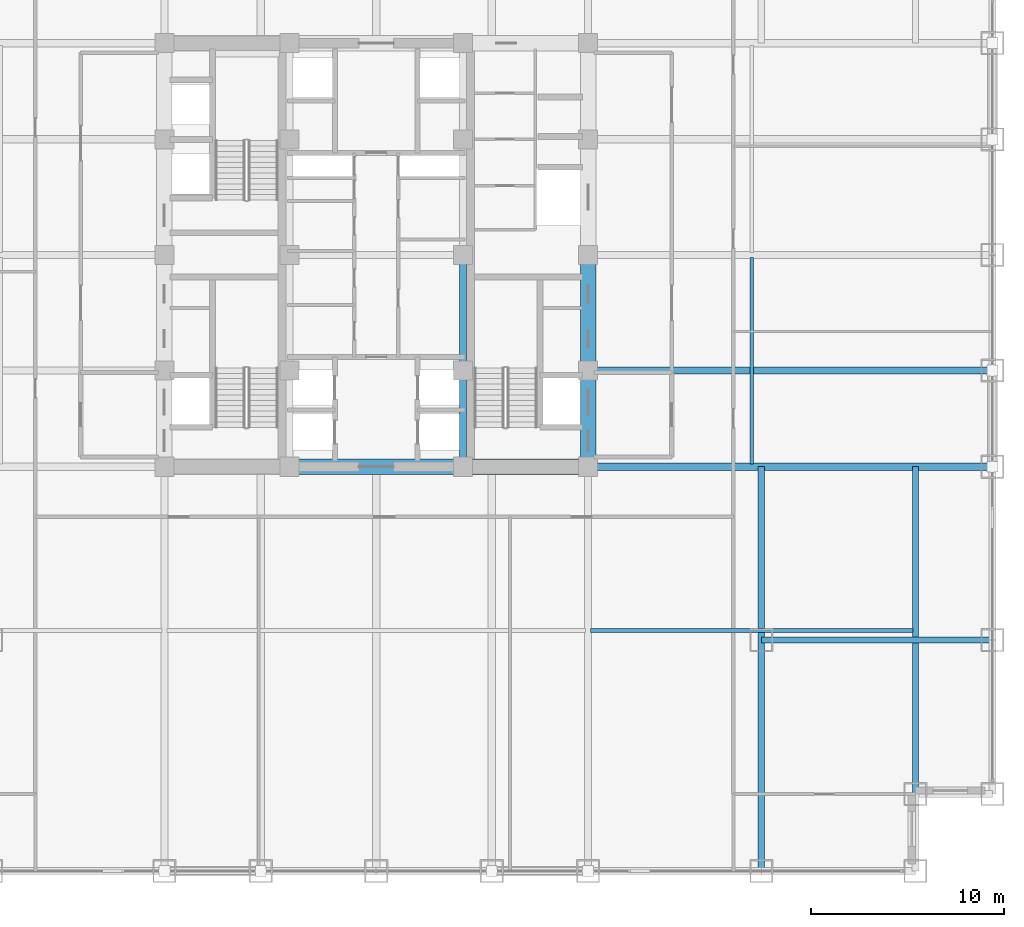
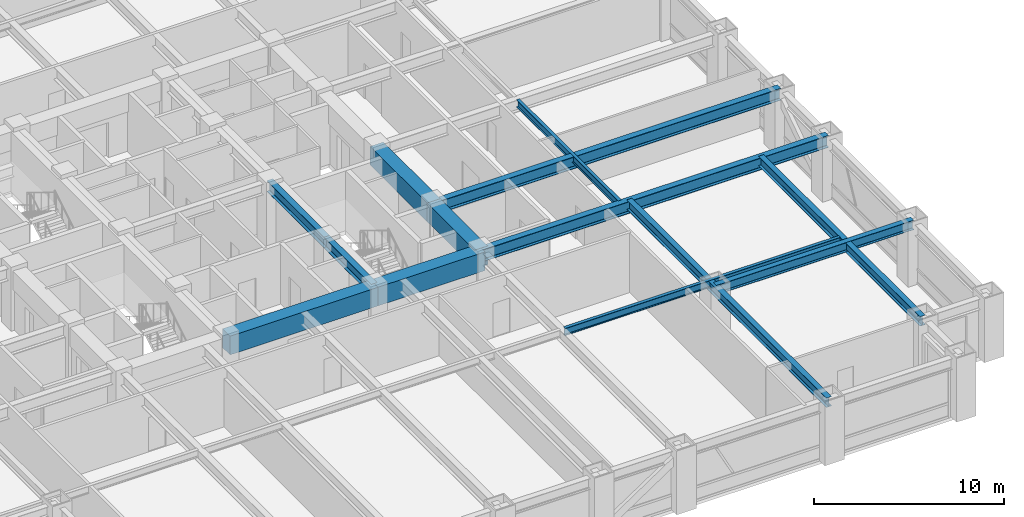
# One storey, part 7 of 27: 13 beams.
"""IFC4 building model written with IfcOpenShell, lengths in metres."""

from ifc_helpers import new_model, si_unit, direction, frame, origin, origin_2d, place, context, subcontext, project, spatial, rectangle, i_section, extrude, source, transform, mapped, material, material_profile, profile_set, type_object, element, save


model = new_model("IFC4")

# Units and contexts
model_context = context("Model", 3, precision=1e-05, world=origin(), true_north=direction((0.0, 1.0)))
body_context = subcontext(model_context, "Body", "Model", "MODEL_VIEW")
ifc_project = project(units=[si_unit("LENGTHUNIT", "METRE"), si_unit("AREAUNIT", "SQUARE_METRE"), si_unit("VOLUMEUNIT", "CUBIC_METRE"), si_unit("PLANEANGLEUNIT", "RADIAN"), si_unit("MASSUNIT", "GRAM", prefix="KILO")], contexts=[model_context])

# Site, building, storey
site_placement = place(None, origin())
site = spatial("IfcSite", under=ifc_project, at=site_placement, CompositionType="ELEMENT")
building_placement = place(site_placement, origin())
building = spatial("IfcBuilding", under=site, at=building_placement, Name="Khorayat Bourse Tower", CompositionType="ELEMENT")
storey_placement = place(building_placement, frame((0.0, 0.0, 107.800048828125)))
storey = spatial("IfcBuildingStorey", under=building, at=storey_placement, Name="L24", CompositionType="ELEMENT", Elevation=107.800048828125)

# Beams
ifc_material_1 = material(Name="Concrete C72/90", Category="concrete")
ifc_material_profile_1 = material_profile(ifc_material_1, rectangle(XDim=0.800048828125, YDim=1.199951171875, at=origin_2d()), Name="RC 800x1200")
ifc_profile_set_1 = profile_set([ifc_material_profile_1], Name="Concrete C72/90")
beam_type_1 = type_object("IfcBeamType", Name="BM-COUP-1200", PredefinedType="BEAM", material=ifc_profile_set_1)
shared_shape_1 = source(origin(), body_context, "Body", "SweptSolid", [
    extrude(rectangle(XDim=0.800048828125, YDim=1.199951171875, at=origin_2d()), origin(), (0.0, 0.0, 1.0), 5.0),
])
beam_1_placement = place(storey_placement, frame((11.0, -11.0, 3.239990234375), z_axis=(0.0, 1.0, 0.0), x_axis=(-1.0, 0.0, 0.0)))
element("IfcBeam", 1, at=beam_1_placement, inside=storey, type_object=beam_type_1, Name="L24 BM-COUP-1200 BM-L24-CRX-13", PredefinedType="BEAM", context=body_context, shape_type="MappedRepresentation", body=[
    mapped(shared_shape_1, transform((0.0, 0.0, 0.0), scale=1.0)),
])
shared_shape_2 = source(origin(), body_context, "Body", "SweptSolid", [
    extrude(rectangle(XDim=0.800048828125, YDim=1.199951171875, at=origin_2d()), origin(), (0.0, 0.0, 1.0), 6.0),
])
beam_2_placement = place(storey_placement, frame((11.0, -6.0, 3.239990234375), z_axis=(0.0, 1.0, 0.0), x_axis=(-1.0, 0.0, 0.0)))
element("IfcBeam", 2, at=beam_2_placement, inside=storey, type_object=beam_type_1, Name="L24 BM-COUP-1200 BM-L24-CRX-14", PredefinedType="BEAM", context=body_context, shape_type="MappedRepresentation", body=[
    mapped(shared_shape_2, transform((0.0, 0.0, 0.0), scale=1.0)),
])
ifc_material_2 = material(Name="Steel ASTM A992 Grade 50", Category="steel")
ifc_material_profile_2 = material_profile(ifc_material_2, i_section(OverallWidth=0.35498046875, OverallDepth=0.695068359375, WebThickness=0.015380859375, FlangeThickness=0.02490234375, FilletRadius=0.01806640625, at=origin_2d()), Name="W690X217")
ifc_profile_set_2 = profile_set([ifc_material_profile_2], Name="Steel ASTM A992 Grade 50")
beam_type_2 = type_object("IfcBeamType", Name="BM-GIRD-690", PredefinedType="BEAM", material=ifc_profile_set_2)
shared_shape_3 = source(origin(), body_context, "Body", "SweptSolid", [
    extrude(i_section(OverallWidth=0.35498046875, OverallDepth=0.695068359375, WebThickness=0.015380859375, FlangeThickness=0.02490234375, FilletRadius=0.01806640625, at=origin_2d()), origin(), (0.0, 0.0, 1.0), 5.0),
])
beam_3_placement = place(storey_placement, frame((4.5, -11.0, 3.492431640625), z_axis=(0.0, 1.0, 0.0), x_axis=(-1.0, 0.0, 0.0)))
element("IfcBeam", 3, at=beam_3_placement, inside=storey, type_object=beam_type_2, Name="L24 BM-GIRD-690 BM-L24-CRX-09", PredefinedType="BEAM", context=body_context, shape_type="MappedRepresentation", body=[
    mapped(shared_shape_3, transform((0.0, 0.0, 0.0), scale=1.0)),
])
shared_shape_4 = source(origin(), body_context, "Body", "SweptSolid", [
    extrude(i_section(OverallWidth=0.35498046875, OverallDepth=0.695068359375, WebThickness=0.015380859375, FlangeThickness=0.02490234375, FilletRadius=0.01806640625, at=origin_2d()), origin(), (0.0, 0.0, 1.0), 6.0),
])
beam_4_placement = place(storey_placement, frame((4.5, -6.0, 3.492431640625), z_axis=(0.0, 1.0, 0.0), x_axis=(-1.0, 0.0, 0.0)))
element("IfcBeam", 4, at=beam_4_placement, inside=storey, type_object=beam_type_2, Name="L24 BM-GIRD-690 BM-L24-CRX-10", PredefinedType="BEAM", context=body_context, shape_type="MappedRepresentation", body=[
    mapped(shared_shape_4, transform((0.0, 0.0, 0.0), scale=1.0)),
])
shared_shape_5 = source(origin(), body_context, "Body", "SweptSolid", [
    extrude(rectangle(XDim=0.800048828125, YDim=1.199951171875, at=origin_2d()), origin(), (0.0, 0.0, 1.0), 6.5),
])
beam_5_placement = place(storey_placement, frame((4.5, -11.0, 3.239990234375), z_axis=(1.0, 0.0, 0.0), x_axis=(0.0, 1.0, 0.0)))
element("IfcBeam", 5, at=beam_5_placement, inside=storey, type_object=beam_type_1, Name="L24 BM-COUP-1200 BM-L24-CRY-19", PredefinedType="BEAM", context=body_context, shape_type="MappedRepresentation", body=[
    mapped(shared_shape_5, transform((0.0, 0.0, 0.0), scale=1.0)),
])
shared_shape_6 = source(origin(), body_context, "Body", "SweptSolid", [
    extrude(rectangle(XDim=0.800048828125, YDim=1.199951171875, at=origin_2d()), origin(), (0.0, 0.0, 1.0), 9.0),
])
beam_6_placement = place(storey_placement, frame((-4.5, -11.0, 3.239990234375), z_axis=(1.0, 0.0, 0.0), x_axis=(0.0, 1.0, 0.0)))
element("IfcBeam", 6, at=beam_6_placement, inside=storey, type_object=beam_type_1, Name="L24 BM-COUP-1200 BM-L24-CRY-18", PredefinedType="BEAM", context=body_context, shape_type="MappedRepresentation", body=[
    mapped(shared_shape_6, transform((0.0, 0.0, 0.0), scale=1.0)),
])
ifc_material_profile_3 = material_profile(ifc_material_2, i_section(OverallWidth=0.324951171875, OverallDepth=0.615966796875, WebThickness=0.013916015625, FlangeThickness=0.021484375, FilletRadius=0.01611328125, at=origin_2d()), Name="W610X174")
ifc_profile_set_3 = profile_set([ifc_material_profile_3], Name="Steel ASTM A992 Grade 50")
beam_type_3 = type_object("IfcBeamType", Name="BM-GIRD-610", PredefinedType="BEAM", material=ifc_profile_set_3)
shared_shape_7 = source(origin(), body_context, "Body", "SweptSolid", [
    extrude(i_section(OverallWidth=0.324951171875, OverallDepth=0.615966796875, WebThickness=0.013916015625, FlangeThickness=0.021484375, FilletRadius=0.01611328125, at=origin_2d()), origin(), (0.0, 0.0, 1.0), 21.0),
])
beam_7_placement = place(storey_placement, frame((20.0, -32.0, 3.531982421875), z_axis=(0.0, 1.0, 0.0), x_axis=(-1.0, 0.0, 0.0)))
element("IfcBeam", 7, at=beam_7_placement, inside=storey, type_object=beam_type_3, Name="L24 BM-GIRD-610 BM-L24-CNRY-086", PredefinedType="BEAM", context=body_context, shape_type="MappedRepresentation", body=[
    mapped(shared_shape_7, transform((0.0, 0.0, 0.0), scale=1.0)),
])
shared_shape_8 = source(origin(), body_context, "Body", "SweptSolid", [
    extrude(i_section(OverallWidth=0.324951171875, OverallDepth=0.615966796875, WebThickness=0.013916015625, FlangeThickness=0.021484375, FilletRadius=0.01611328125, at=origin_2d()), origin(), (0.0, 0.0, 1.0), 12.0),
])
beam_8_placement = place(storey_placement, frame((20.0, -20.0, 3.531982421875), z_axis=(1.0, 0.0, 0.0), x_axis=(0.0, 1.0, 0.0)))
element("IfcBeam", 8, at=beam_8_placement, inside=storey, type_object=beam_type_3, Name="L24 BM-GIRD-610 BM-L24-CNRX-092", PredefinedType="BEAM", context=body_context, shape_type="MappedRepresentation", body=[
    mapped(shared_shape_8, transform((0.0, 0.0, 0.0), scale=1.0)),
])
ifc_material_profile_4 = material_profile(ifc_material_2, i_section(OverallWidth=0.194091796875, OverallDepth=0.468994140625, WebThickness=0.0126953125, FlangeThickness=0.0205078125, FilletRadius=0.012939453125, at=origin_2d()), Name="W460X106")
ifc_profile_set_4 = profile_set([ifc_material_profile_4], Name="Steel ASTM A992 Grade 50")
beam_type_4 = type_object("IfcBeamType", Name="BM-JOIST-460", PredefinedType="JOIST", material=ifc_profile_set_4)
shared_shape_9 = source(origin(), body_context, "Body", "SweptSolid", [
    extrude(i_section(OverallWidth=0.194091796875, OverallDepth=0.468994140625, WebThickness=0.0126953125, FlangeThickness=0.0205078125, FilletRadius=0.012939453125, at=origin_2d()), origin(), (0.0, 0.0, 1.0), 10.740234375),
])
beam_9_placement = place(storey_placement, frame((19.5, -10.8701171875, 3.60546875), z_axis=(0.0, 1.0, 0.0), x_axis=(-1.0, 0.0, 0.0)))
element("IfcBeam", 9, at=beam_9_placement, inside=storey, type_object=beam_type_4, Name="L24 BM-JOIST-460 BM-L24-JSTY-104", PredefinedType="JOIST", context=body_context, shape_type="MappedRepresentation", body=[
    mapped(shared_shape_9, transform((0.0, 0.0, 0.0), scale=1.0)),
])
ifc_material_profile_5 = material_profile(ifc_material_2, i_section(OverallWidth=0.381103515625, OverallDepth=0.77294921875, WebThickness=0.0166015625, FlangeThickness=0.027587890625, FilletRadius=0.01806640625, at=origin_2d()), Name="W760X257")
ifc_profile_set_5 = profile_set([ifc_material_profile_5], Name="Steel ASTM A992 Grade 50")
beam_type_5 = type_object("IfcBeamType", Name="BM-GIRD-760", PredefinedType="BEAM", material=ifc_profile_set_5)
shared_shape_10 = source(origin(), body_context, "Body", "SweptSolid", [
    extrude(i_section(OverallWidth=0.381103515625, OverallDepth=0.77294921875, WebThickness=0.0166015625, FlangeThickness=0.027587890625, FilletRadius=0.01806640625, at=origin_2d()), origin(), (0.0, 0.0, 1.0), 21.0),
])
for number, where, z_axis, x_axis, name in (
    (10, (11.0, -11.0, 3.453369140625), (1.0, 0.0, 0.0), (0.0, 1.0, 0.0), "L24 BM-GIRD-760 BM-L24-RADX-074"),
    (11, (11.0, -6.0, 3.453369140625), (1.0, 0.0, 0.0), (0.0, 1.0, 0.0), "L24 BM-GIRD-760 BM-L24-RADX-076"),
):
    element("IfcBeam", number, at=place(storey_placement, frame(where, z_axis=z_axis, x_axis=x_axis)), inside=storey, type_object=beam_type_5, Name=name, PredefinedType="BEAM", context=body_context, shape_type="MappedRepresentation", body=[
        mapped(shared_shape_10, transform((0.0, 0.0, 0.0), scale=1.0)),
    ])
shared_shape_11 = source(origin(), body_context, "Body", "SweptSolid", [
    extrude(i_section(OverallWidth=0.324951171875, OverallDepth=0.615966796875, WebThickness=0.013916015625, FlangeThickness=0.021484375, FilletRadius=0.01611328125, at=origin_2d()), origin(), (0.0, 0.0, 1.0), 17.0),
])
beam_10_placement = place(storey_placement, frame((28.0, -28.0, 3.531982421875), z_axis=(0.0, 1.0, 0.0), x_axis=(-1.0, 0.0, 0.0)))
element("IfcBeam", 12, at=beam_10_placement, inside=storey, type_object=beam_type_3, Name="L24 BM-GIRD-610 BM-L24-CNRY-090", PredefinedType="BEAM", context=body_context, shape_type="MappedRepresentation", body=[
    mapped(shared_shape_11, transform((0.0, 0.0, 0.0), scale=1.0)),
])
shared_shape_12 = source(origin(), body_context, "Body", "SweptSolid", [
    extrude(i_section(OverallWidth=0.194091796875, OverallDepth=0.468994140625, WebThickness=0.0126953125, FlangeThickness=0.0205078125, FilletRadius=0.012939453125, at=origin_2d()), origin(), (0.0, 0.0, 1.0), 16.740234375),
])
beam_11_placement = place(storey_placement, frame((11.1298828125, -19.5, 3.60546875), z_axis=(1.0, 0.0, 0.0), x_axis=(0.0, 1.0, 0.0)))
element("IfcBeam", 13, at=beam_11_placement, inside=storey, type_object=beam_type_4, Name="L24 BM-JOIST-460 BM-L24-JSTX-098", PredefinedType="JOIST", context=body_context, shape_type="MappedRepresentation", body=[
    mapped(shared_shape_12, transform((0.0, 0.0, 0.0), scale=1.0)),
])

save(model, "model.ifc")
